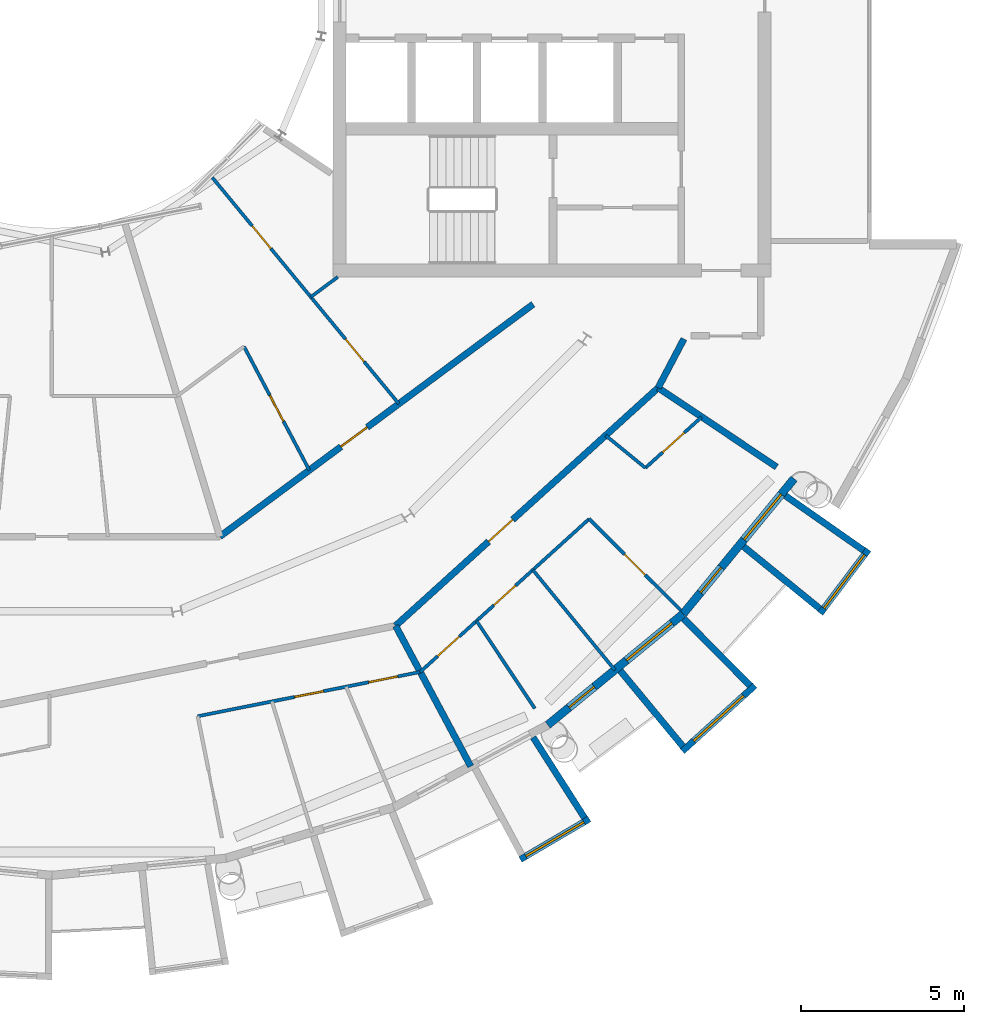
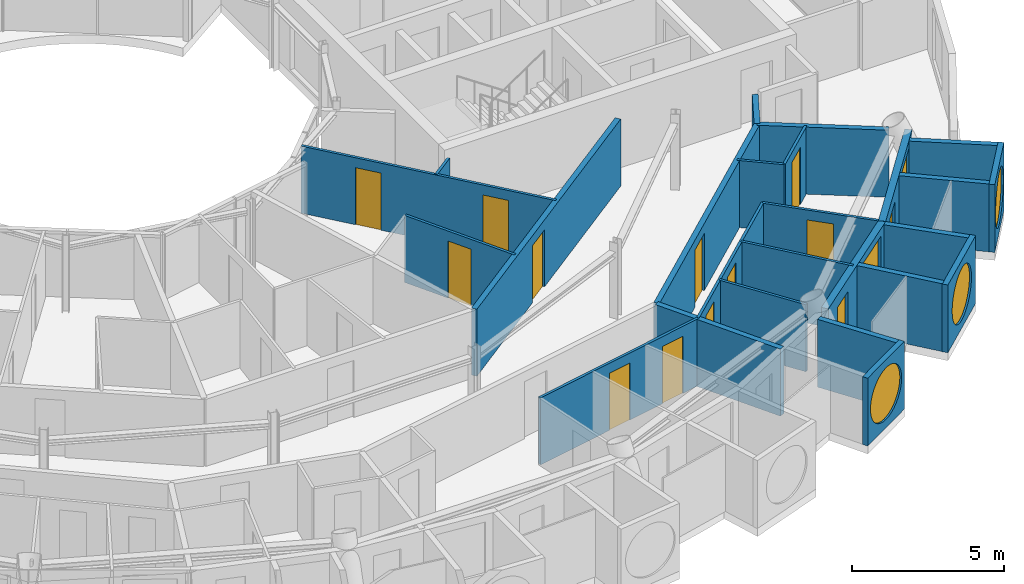
# One storey, part 18 of 28: 25 walls, 13 doors, 5 windows, 18 openings.
"""IFC4 building model written with IfcOpenShell, lengths in metres."""

from ifc_helpers import new_model, si_unit, direction, frame, frame_2d, origin, place, context, subcontext, project, spatial, rectangle, circle, extrude, material, layer, layer_set, type_object, element, fill, save


model = new_model("IFC4")

# Units and contexts
model_context = context("Model", 3, precision=1e-05, world=origin(), true_north=direction((0.0, 1.0)))
body_context = subcontext(model_context, "Body", "Model", "MODEL_VIEW")
ifc_project = project(units=[si_unit("LENGTHUNIT", "METRE"), si_unit("AREAUNIT", "SQUARE_METRE"), si_unit("VOLUMEUNIT", "CUBIC_METRE"), si_unit("PLANEANGLEUNIT", "RADIAN"), si_unit("MASSUNIT", "GRAM", prefix="KILO")], contexts=[model_context])

# Site, building, storey
site_placement = place(None, origin())
site = spatial("IfcSite", under=ifc_project, at=site_placement, CompositionType="ELEMENT")
building_placement = place(site_placement, origin())
building = spatial("IfcBuilding", under=site, at=building_placement, Name="Maasbend Ring Residences", CompositionType="ELEMENT")
storey_placement = place(building_placement, frame((0.0, 0.0, 231.0)))
storey = spatial("IfcBuildingStorey", under=building, at=storey_placement, Name="L66", CompositionType="ELEMENT", Elevation=231.0)

# Wall
ifc_material_1 = material(Name="Concrete C30/37", Category="concrete")
ifc_layer_1 = layer(ifc_material_1, 0.199951171875)
ifc_layer_set_1 = layer_set([ifc_layer_1], Name="Concrete C30/37")
wall_type_1 = type_object("IfcWallType", Name="CORRIDOR WALL 200 CONCRETE", PredefinedType="PARTITIONING", material=ifc_layer_set_1)
wall_1_placement = place(storey_placement, frame((18.5419921875, -12.388916015625, 0.0), z_axis=(0.0, 0.0, 1.0), x_axis=(0.465812036273, 0.88488369115, 0.0)))
element("IfcWall", 1, at=wall_1_placement, inside=storey, type_object=wall_type_1, Name="U-L66-w010", PredefinedType="PARTITIONING", context=body_context, shape_type="SweptSolid", body=[
    extrude(rectangle(XDim=1.687255859375, YDim=0.199951171875, at=frame_2d((0.84375, 0.0))), origin(), (0.0, 0.0, 1.0), 2.699951171875),
])

# Wall, opening, door
wall_2_placement = place(storey_placement, frame((10.511962890625, -19.6669921875, 0.0), z_axis=(0.0, 0.0, 1.0), x_axis=(0.740947367223, 0.671563101283, 0.0)))
wall_2 = element("IfcWall", 2, at=wall_2_placement, inside=storey, type_object=wall_type_1, Name="U-L66-w014", PredefinedType="PARTITIONING", context=body_context, shape_type="SweptSolid", body=[
    extrude(rectangle(XDim=10.83740234375, YDim=0.199951171875, at=frame_2d((5.418701171875, 0.0))), origin(), (0.0, 0.0, 1.0), 2.699951171875),
])
opening_1_placement = place(wall_2_placement, frame((3.8349609375, 0.0, 0.0)))
opening_1 = element("IfcOpeningElement", 3, at=opening_1_placement, cuts=wall_2, Name="Opening D-6640", PredefinedType="OPENING", context=body_context, shape_type="SweptSolid", body=[
    extrude(rectangle(XDim=1.0, YDim=2.300048828125, at=frame_2d((0.5, 1.14990234375))), frame((0.0, 0.10986328125, 0.0), z_axis=(0.0, -1.0, 0.0), x_axis=(1.0, 0.0, 0.0)), (0.0, 0.0, 1.0), 0.219970703125),
])
ifc_material_2 = material(Name="Timber, fire-rated, painted", Category="wood")
door_type_1 = type_object("IfcDoorType", Name="FLAT ENTRANCE DOOR 1000 X 2300 FIRE-RATED", OperationType="NOTDEFINED", PredefinedType="DOOR", material=ifc_material_2)
door_1_placement = place(opening_1_placement, origin())
door_1 = element("IfcDoor", 4, at=door_1_placement, inside=storey, type_object=door_type_1, Name="D-6640", OperationType="SINGLE_SWING_LEFT", OverallHeight=2.300048828125, OverallWidth=1.0, PredefinedType="DOOR", context=body_context, shape_type="SweptSolid", body=[
    extrude(rectangle(XDim=1.0, YDim=2.300048828125, at=frame_2d((0.5, 1.14990234375))), frame((0.0, 0.02490234375, 0.0), z_axis=(0.0, -1.0, 0.0), x_axis=(1.0, 0.0, 0.0)), (0.0, 0.0, 1.0), 0.050048828125),
])
fill(opening_1, door_1)

wall_3_placement = place(storey_placement, frame((5.136962890625, -16.93798828125, 0.0), z_axis=(0.0, 0.0, 1.0), x_axis=(0.803240181354, 0.595655278712, 0.0)))
wall_3 = element("IfcWall", 5, at=wall_3_placement, inside=storey, type_object=wall_type_1, Name="U-L66-w019", PredefinedType="PARTITIONING", context=body_context, shape_type="SweptSolid", body=[
    extrude(rectangle(XDim=11.927978515625, YDim=0.199951171875, at=frame_2d((5.9638671875, 0.0))), origin(), (0.0, 0.0, 1.0), 2.699951171875),
])
opening_2_placement = place(wall_3_placement, frame((4.612060546875, 0.0, 0.0)))
opening_2 = element("IfcOpeningElement", 6, at=opening_2_placement, cuts=wall_3, Name="Opening D-6653", PredefinedType="OPENING", context=body_context, shape_type="SweptSolid", body=[
    extrude(rectangle(XDim=1.0, YDim=2.300048828125, at=frame_2d((0.5, 1.14990234375))), frame((0.0, 0.10986328125, 0.0), z_axis=(0.0, -1.0, 0.0), x_axis=(1.0, 0.0, 0.0)), (0.0, 0.0, 1.0), 0.219970703125),
])
door_2_placement = place(opening_2_placement, origin())
door_2 = element("IfcDoor", 7, at=door_2_placement, inside=storey, type_object=door_type_1, Name="D-6653", OperationType="SINGLE_SWING_LEFT", OverallHeight=2.300048828125, OverallWidth=1.0, PredefinedType="DOOR", context=body_context, shape_type="SweptSolid", body=[
    extrude(rectangle(XDim=1.0, YDim=2.300048828125, at=frame_2d((0.5, 1.14990234375))), frame((0.0, 0.02490234375, 0.0), z_axis=(0.0, -1.0, 0.0), x_axis=(1.0, 0.0, 0.0)), (0.0, 0.0, 1.0), 0.050048828125),
])
fill(opening_2, door_2)

# Wall, opening, window
ifc_material_3 = material(Name="Pale anodised aluminium panel", Category="aluminium")
ifc_layer_2 = layer(ifc_material_3, 0.199951171875)
ifc_layer_set_2 = layer_set([ifc_layer_2], Name="EW-BOX")
wall_type_2 = type_object("IfcWallType", Name="EW-BOX", PredefinedType="SOLIDWALL", material=ifc_layer_set_2)
wall_4_placement = place(storey_placement, frame((14.326904296875, -26.81201171875, -0.030029296875), z_axis=(0.0, 0.0, 1.0), x_axis=(0.862403467503, 0.506221551535, 0.0)))
wall_4 = element("IfcWall", 8, at=wall_4_placement, inside=storey, type_object=wall_type_2, Name="Box front S16", PredefinedType="SOLIDWALL", context=body_context, shape_type="SweptSolid", body=[
    extrude(rectangle(XDim=2.445556640625, YDim=0.199951171875, at=frame_2d((1.22265625, 0.0))), origin(), (0.0, 0.0, 1.0), 2.72998046875),
])
opening_3_placement = place(wall_4_placement, frame((0.182861328125, 0.0, 0.330078125)))
opening_3 = element("IfcOpeningElement", 9, at=opening_3_placement, cuts=wall_4, Name="Opening W-RD", PredefinedType="OPENING", context=body_context, shape_type="SweptSolid", body=[
    extrude(circle(Radius=1.0400390625, at=frame_2d((1.0400390625, 1.0400390625))), frame((0.0, 0.10986328125, 0.0), z_axis=(0.0, -1.0, 0.0), x_axis=(1.0, 0.0, 0.0)), (0.0, 0.0, 1.0), 0.219970703125),
])
ifc_material_4 = material(Name="Aluminium and clear glass", Category="aluminium")
window_type_1 = type_object("IfcWindowType", Name="W-RD", PartitioningType="SINGLE_PANEL", PredefinedType="WINDOW", material=ifc_material_4)
window_1_placement = place(opening_3_placement, origin())
window_1 = element("IfcWindow", 10, at=window_1_placement, inside=storey, type_object=window_type_1, Name="Round window S16", OverallHeight=2.080078125, OverallWidth=2.080078125, PartitioningType="SINGLE_PANEL", PredefinedType="WINDOW", context=body_context, shape_type="SweptSolid", body=[
    extrude(circle(Radius=1.0400390625, at=frame_2d((1.0400390625, 1.0400390625))), frame((0.0, 0.030029296875, 0.0), z_axis=(0.0, -1.0, 0.0), x_axis=(1.0, 0.0, 0.0)), (0.0, 0.0, 1.0), 0.06005859375),
])
fill(opening_3, window_1)

# Wall
wall_5_placement = place(storey_placement, frame((14.721923828125, -23.0791015625, -0.030029296875), z_axis=(0.0, 0.0, 1.0), x_axis=(0.537572179146, -0.843217737129, 0.0)))
element("IfcWall", 11, at=wall_5_placement, inside=storey, type_object=wall_type_2, Name="Box side wall S16 right", PredefinedType="SOLIDWALL", context=body_context, shape_type="SweptSolid", body=[
    extrude(rectangle(XDim=2.92431640625, YDim=0.199951171875, at=frame_2d((1.462158203125, 0.0))), origin(), (0.0, 0.0, 1.0), 2.72998046875),
])

# Wall, opening, window
wall_6_placement = place(storey_placement, frame((19.281982421875, -23.5029296875, -0.030029296875), z_axis=(0.0, 0.0, 1.0), x_axis=(0.740998365753, 0.671506829416, 0.0)))
wall_6 = element("IfcWall", 12, at=wall_6_placement, inside=storey, type_object=wall_type_2, Name="Box front S18", PredefinedType="SOLIDWALL", context=body_context, shape_type="SweptSolid", body=[
    extrude(rectangle(XDim=2.9931640625, YDim=0.199951171875, at=frame_2d((1.49658203125, 0.0))), origin(), (0.0, 0.0, 1.0), 2.72998046875),
])
opening_4_placement = place(wall_6_placement, frame((0.45654296875, 0.0, 0.330078125)))
opening_4 = element("IfcOpeningElement", 13, at=opening_4_placement, cuts=wall_6, Name="Opening W-RD", PredefinedType="OPENING", context=body_context, shape_type="SweptSolid", body=[
    extrude(circle(Radius=1.0400390625, at=frame_2d((1.0400390625, 1.0400390625))), frame((0.0, 0.10986328125, 0.0), z_axis=(0.0, -1.0, 0.0), x_axis=(1.0, 0.0, 0.0)), (0.0, 0.0, 1.0), 0.219970703125),
])
window_2_placement = place(opening_4_placement, origin())
window_2 = element("IfcWindow", 14, at=window_2_placement, inside=storey, type_object=window_type_1, Name="Round window S18", OverallHeight=2.080078125, OverallWidth=2.080078125, PartitioningType="SINGLE_PANEL", PredefinedType="WINDOW", context=body_context, shape_type="SweptSolid", body=[
    extrude(circle(Radius=1.0400390625, at=frame_2d((1.0400390625, 1.0400390625))), frame((0.0, 0.030029296875, 0.0), z_axis=(0.0, -1.0, 0.0), x_axis=(1.0, 0.0, 0.0)), (0.0, 0.0, 1.0), 0.06005859375),
])
fill(opening_4, window_2)

# Walls
wall_7_placement = place(storey_placement, frame((17.384033203125, -21.041015625, -0.030029296875), z_axis=(0.0, 0.0, 1.0), x_axis=(0.63709551667, -0.770784861449, 0.0)))
element("IfcWall", 15, at=wall_7_placement, inside=storey, type_object=wall_type_2, Name="Box side wall S18 left", PredefinedType="SOLIDWALL", context=body_context, shape_type="SweptSolid", body=[
    extrude(rectangle(XDim=3.005859375, YDim=0.199951171875, at=frame_2d((1.5029296875, 0.0))), origin(), (0.0, 0.0, 1.0), 2.72998046875),
])
wall_8_placement = place(storey_placement, frame((19.322998046875, -19.449951171875, -0.030029296875), z_axis=(0.0, 0.0, 1.0), x_axis=(0.704476739375, -0.709727076896, 0.0)))
element("IfcWall", 16, at=wall_8_placement, inside=storey, type_object=wall_type_2, Name="Box side wall S18 right", PredefinedType="SOLIDWALL", context=body_context, shape_type="SweptSolid", body=[
    extrude(rectangle(XDim=2.883056640625, YDim=0.199951171875, at=frame_2d((1.44140625, 0.0))), origin(), (0.0, 0.0, 1.0), 2.72998046875),
])

# Wall, opening, window
wall_9_placement = place(storey_placement, frame((23.4970703125, -19.2890625, -0.030029296875), z_axis=(0.0, 0.0, 1.0), x_axis=(0.602806268067, 0.797887588059, 0.0)))
wall_9 = element("IfcWall", 17, at=wall_9_placement, inside=storey, type_object=wall_type_2, Name="Box front S20", PredefinedType="SOLIDWALL", context=body_context, shape_type="SweptSolid", body=[
    extrude(rectangle(XDim=2.446533203125, YDim=0.199951171875, at=frame_2d((1.22314453125, 0.0))), origin(), (0.0, 0.0, 1.0), 2.72998046875),
])
opening_5_placement = place(wall_9_placement, frame((0.182861328125, 0.0, 0.330078125)))
opening_5 = element("IfcOpeningElement", 18, at=opening_5_placement, cuts=wall_9, Name="Opening W-RD", PredefinedType="OPENING", context=body_context, shape_type="SweptSolid", body=[
    extrude(circle(Radius=1.0400390625, at=frame_2d((1.0400390625, 1.0400390625))), frame((0.0, 0.10986328125, 0.0), z_axis=(0.0, -1.0, 0.0), x_axis=(1.0, 0.0, 0.0)), (0.0, 0.0, 1.0), 0.219970703125),
])
window_3_placement = place(opening_5_placement, origin())
window_3 = element("IfcWindow", 19, at=window_3_placement, inside=storey, type_object=window_type_1, Name="Round window S20", OverallHeight=2.080078125, OverallWidth=2.080078125, PartitioningType="SINGLE_PANEL", PredefinedType="WINDOW", context=body_context, shape_type="SweptSolid", body=[
    extrude(circle(Radius=1.0400390625, at=frame_2d((1.0400390625, 1.0400390625))), frame((0.0, 0.030029296875, 0.0), z_axis=(0.0, -1.0, 0.0), x_axis=(1.0, 0.0, 0.0)), (0.0, 0.0, 1.0), 0.06005859375),
])
fill(opening_5, window_3)

# Walls
wall_10_placement = place(storey_placement, frame((21.155029296875, -17.24609375, -0.030029296875), z_axis=(0.0, 0.0, 1.0), x_axis=(0.775179004516, -0.631741648902, 0.0)))
element("IfcWall", 20, at=wall_10_placement, inside=storey, type_object=wall_type_2, Name="Box side wall S20 left", PredefinedType="SOLIDWALL", context=body_context, shape_type="SweptSolid", body=[
    extrude(rectangle(XDim=3.005859375, YDim=0.199951171875, at=frame_2d((1.5029296875, 0.0))), origin(), (0.0, 0.0, 1.0), 2.72998046875),
])
wall_11_placement = place(storey_placement, frame((22.43310546875, -15.68798828125, -0.030029296875), z_axis=(0.0, 0.0, 1.0), x_axis=(0.819373043115, -0.573260687834, 0.0)))
element("IfcWall", 21, at=wall_11_placement, inside=storey, type_object=wall_type_2, Name="Box side wall S20 right", PredefinedType="SOLIDWALL", context=body_context, shape_type="SweptSolid", body=[
    extrude(rectangle(XDim=2.92529296875, YDim=0.199951171875, at=frame_2d((1.462646484375, 0.0))), origin(), (0.0, 0.0, 1.0), 2.72998046875),
])

# Wall, openings, door, window
ifc_material_5 = material(Name="Aluminium clad insulated panel", Category="aluminium")
ifc_layer_3 = layer(ifc_material_5, 0.25)
ifc_layer_set_3 = layer_set([ifc_layer_3], Name="EW-GL")
wall_type_3 = type_object("IfcWallType", Name="EW-GL", PredefinedType="SOLIDWALL", material=ifc_layer_set_3)
wall_12_placement = place(storey_placement, frame((15.1669921875, -22.698974609375, 0.0), z_axis=(0.0, 0.0, 1.0), x_axis=(0.773019449054, 0.634382322723, 0.0)))
wall_12 = element("IfcWall", 22, at=wall_12_placement, inside=storey, type_object=wall_type_3, Name="External wall S09", PredefinedType="SOLIDWALL", context=body_context, shape_type="SweptSolid", body=[
    extrude(rectangle(XDim=5.351806640625, YDim=0.25, at=frame_2d((2.67578125, 0.0))), origin(), (0.0, 0.0, 1.0), 2.699951171875),
])
opening_6_placement = place(wall_12_placement, frame((0.841064453125, 0.0, 0.0)))
opening_6 = element("IfcOpeningElement", 23, at=opening_6_placement, cuts=wall_12, Name="Opening D-LG", PredefinedType="OPENING", context=body_context, shape_type="SweptSolid", body=[
    extrude(rectangle(XDim=1.0, YDim=2.199951171875, at=frame_2d((0.5, 1.10009765625))), frame((0.0, 0.135009765625, 0.0), z_axis=(0.0, -1.0, 0.0), x_axis=(1.0, 0.0, 0.0)), (0.0, 0.0, 1.0), 0.27001953125),
])
opening_7_placement = place(wall_12_placement, frame((3.110595703125, 0.0, 0.300048828125)))
opening_7 = element("IfcOpeningElement", 24, at=opening_7_placement, cuts=wall_12, Name="Opening W-BX", PredefinedType="OPENING", context=body_context, shape_type="SweptSolid", body=[
    extrude(rectangle(XDim=1.800048828125, YDim=2.10009765625, at=frame_2d((0.89990234375, 1.050048828125))), frame((0.0, 0.135009765625, 0.0), z_axis=(0.0, -1.0, 0.0), x_axis=(1.0, 0.0, 0.0)), (0.0, 0.0, 1.0), 0.27001953125),
])
ifc_material_6 = material(Name="Aluminium and clear glass", Category="aluminium")
door_type_2 = type_object("IfcDoorType", Name="D-LG", OperationType="SINGLE_SWING_LEFT", PredefinedType="DOOR", material=ifc_material_6)
door_3_placement = place(opening_6_placement, origin())
door_3 = element("IfcDoor", 25, at=door_3_placement, inside=storey, type_object=door_type_2, Name="Loggia door S17", OperationType="SINGLE_SWING_LEFT", OverallHeight=2.199951171875, OverallWidth=1.0, PredefinedType="DOOR", context=body_context, shape_type="SweptSolid", body=[
    extrude(rectangle(XDim=1.0, YDim=2.199951171875, at=frame_2d((0.5, 1.10009765625))), frame((0.0, 0.02490234375, 0.0), z_axis=(0.0, -1.0, 0.0), x_axis=(1.0, 0.0, 0.0)), (0.0, 0.0, 1.0), 0.050048828125),
])
fill(opening_6, door_3)
ifc_material_7 = material(Name="Aluminium and clear glass", Category="aluminium")
window_type_2 = type_object("IfcWindowType", Name="W-BX", PartitioningType="DOUBLE_PANEL_VERTICAL", PredefinedType="WINDOW", material=ifc_material_7)
window_4_placement = place(opening_7_placement, origin())
window_4 = element("IfcWindow", 26, at=window_4_placement, inside=storey, type_object=window_type_2, Name="Window S18 room to box", OverallHeight=2.10009765625, OverallWidth=1.800048828125, PartitioningType="SINGLE_PANEL", PredefinedType="WINDOW", context=body_context, shape_type="SweptSolid", body=[
    extrude(rectangle(XDim=1.800048828125, YDim=2.10009765625, at=frame_2d((0.89990234375, 1.050048828125))), frame((0.0, 0.030029296875, 0.0), z_axis=(0.0, -1.0, 0.0), x_axis=(1.0, 0.0, 0.0)), (0.0, 0.0, 1.0), 0.06005859375),
])
fill(opening_7, window_4)

wall_13_placement = place(storey_placement, frame((19.303955078125, -19.303955078125, 0.0), z_axis=(0.0, 0.0, 1.0), x_axis=(0.634382322723, 0.773019449054, 0.0)))
wall_13 = element("IfcWall", 27, at=wall_13_placement, inside=storey, type_object=wall_type_3, Name="External wall S10", PredefinedType="SOLIDWALL", context=body_context, shape_type="SweptSolid", body=[
    extrude(rectangle(XDim=5.351806640625, YDim=0.25, at=frame_2d((2.67578125, 0.0))), origin(), (0.0, 0.0, 1.0), 2.699951171875),
])
opening_8_placement = place(wall_13_placement, frame((0.841064453125, 0.0, 0.0)))
opening_8 = element("IfcOpeningElement", 28, at=opening_8_placement, cuts=wall_13, Name="Opening D-LG", PredefinedType="OPENING", context=body_context, shape_type="SweptSolid", body=[
    extrude(rectangle(XDim=1.0, YDim=2.199951171875, at=frame_2d((0.5, 1.10009765625))), frame((0.0, 0.135009765625, 0.0), z_axis=(0.0, -1.0, 0.0), x_axis=(1.0, 0.0, 0.0)), (0.0, 0.0, 1.0), 0.27001953125),
])
opening_9_placement = place(wall_13_placement, frame((2.935791015625, 0.0, 0.300048828125)))
opening_9 = element("IfcOpeningElement", 29, at=opening_9_placement, cuts=wall_13, Name="Opening W-BX", PredefinedType="OPENING", context=body_context, shape_type="SweptSolid", body=[
    extrude(rectangle(XDim=1.800048828125, YDim=2.10009765625, at=frame_2d((0.89990234375, 1.050048828125))), frame((0.0, 0.135009765625, 0.0), z_axis=(0.0, -1.0, 0.0), x_axis=(1.0, 0.0, 0.0)), (0.0, 0.0, 1.0), 0.27001953125),
])
door_4_placement = place(opening_8_placement, origin())
door_4 = element("IfcDoor", 30, at=door_4_placement, inside=storey, type_object=door_type_2, Name="Loggia door S19", OperationType="SINGLE_SWING_LEFT", OverallHeight=2.199951171875, OverallWidth=1.0, PredefinedType="DOOR", context=body_context, shape_type="SweptSolid", body=[
    extrude(rectangle(XDim=1.0, YDim=2.199951171875, at=frame_2d((0.5, 1.10009765625))), frame((0.0, 0.02490234375, 0.0), z_axis=(0.0, -1.0, 0.0), x_axis=(1.0, 0.0, 0.0)), (0.0, 0.0, 1.0), 0.050048828125),
])
fill(opening_8, door_4)
window_5_placement = place(opening_9_placement, origin())
window_5 = element("IfcWindow", 31, at=window_5_placement, inside=storey, type_object=window_type_2, Name="Window S20 room to box", OverallHeight=2.10009765625, OverallWidth=1.800048828125, PartitioningType="SINGLE_PANEL", PredefinedType="WINDOW", context=body_context, shape_type="SweptSolid", body=[
    extrude(rectangle(XDim=1.800048828125, YDim=2.10009765625, at=frame_2d((0.89990234375, 1.050048828125))), frame((0.0, 0.030029296875, 0.0), z_axis=(0.0, -1.0, 0.0), x_axis=(1.0, 0.0, 0.0)), (0.0, 0.0, 1.0), 0.06005859375),
])
fill(opening_9, window_5)

# Wall, openings, doors
ifc_material_8 = material(Name="Gypsum board on steel studs", Category="steel")
ifc_layer_4 = layer(ifc_material_8, 0.10009765625)
ifc_layer_set_4 = layer_set([ifc_layer_4], Name="PARTITION 100 GYPSUM")
wall_type_4 = type_object("IfcWallType", Name="PARTITION 100 GYPSUM", PredefinedType="PARTITIONING", material=ifc_layer_set_4)
wall_14_placement = place(storey_placement, frame((11.26611328125, -21.077880859375, 0.0), z_axis=(0.0, 0.0, 1.0), x_axis=(0.74114118713, 0.671349194339, 0.0)))
wall_14 = element("IfcWall", 32, at=wall_14_placement, inside=storey, type_object=wall_type_4, Name="U-L66-w003", PredefinedType="PARTITIONING", context=body_context, shape_type="SweptSolid", body=[
    extrude(rectangle(XDim=6.96484375, YDim=0.10009765625, at=frame_2d((3.482421875, 0.0))), origin(), (0.0, 0.0, 1.0), 2.699951171875),
])
opening_10_placement = place(wall_14_placement, frame((3.033935546875, 0.0, 0.0)))
opening_10 = element("IfcOpeningElement", 33, at=opening_10_placement, cuts=wall_14, Name="Opening D-6643", PredefinedType="OPENING", context=body_context, shape_type="SweptSolid", body=[
    extrude(rectangle(XDim=0.89990234375, YDim=2.300048828125, at=frame_2d((0.449951171875, 1.14990234375))), frame((0.0, 0.06005859375, 0.0), z_axis=(0.0, -1.0, 0.0), x_axis=(1.0, 0.0, 0.0)), (0.0, 0.0, 1.0), 0.1201171875),
])
opening_11_placement = place(wall_14_placement, frame((0.7119140625, 0.0, 0.0)))
opening_11 = element("IfcOpeningElement", 34, at=opening_11_placement, cuts=wall_14, Name="Opening D-6644", PredefinedType="OPENING", context=body_context, shape_type="SweptSolid", body=[
    extrude(rectangle(XDim=0.89990234375, YDim=2.300048828125, at=frame_2d((0.449951171875, 1.14990234375))), frame((0.0, 0.06005859375, 0.0), z_axis=(0.0, -1.0, 0.0), x_axis=(1.0, 0.0, 0.0)), (0.0, 0.0, 1.0), 0.1201171875),
])
ifc_material_9 = material(Name="Timber, painted", Category="wood")
door_type_3 = type_object("IfcDoorType", Name="INTERNAL DOOR 900 X 2300", OperationType="NOTDEFINED", PredefinedType="DOOR", material=ifc_material_9)
door_5_placement = place(opening_10_placement, origin())
door_5 = element("IfcDoor", 35, at=door_5_placement, inside=storey, type_object=door_type_3, Name="D-6643", OperationType="SINGLE_SWING_RIGHT", OverallHeight=2.300048828125, OverallWidth=0.89990234375, PredefinedType="DOOR", context=body_context, shape_type="SweptSolid", body=[
    extrude(rectangle(XDim=0.89990234375, YDim=2.300048828125, at=frame_2d((0.449951171875, 1.14990234375))), frame((0.0, 0.02490234375, 0.0), z_axis=(0.0, -1.0, 0.0), x_axis=(1.0, 0.0, 0.0)), (0.0, 0.0, 1.0), 0.050048828125),
])
fill(opening_10, door_5)
door_6_placement = place(opening_11_placement, origin())
door_6 = element("IfcDoor", 36, at=door_6_placement, inside=storey, type_object=door_type_3, Name="D-6644", OperationType="SINGLE_SWING_LEFT", OverallHeight=2.300048828125, OverallWidth=0.89990234375, PredefinedType="DOOR", context=body_context, shape_type="SweptSolid", body=[
    extrude(rectangle(XDim=0.89990234375, YDim=2.300048828125, at=frame_2d((0.449951171875, 1.14990234375))), frame((0.0, 0.02490234375, 0.0), z_axis=(0.0, -1.0, 0.0), x_axis=(1.0, 0.0, 0.0)), (0.0, 0.0, 1.0), 0.050048828125),
])
fill(opening_11, door_6)

# Wall, opening, door
wall_15_placement = place(storey_placement, frame((18.14697265625, -14.843994140625, 0.0), z_axis=(0.0, 0.0, 1.0), x_axis=(0.741080073381, 0.671416655169, 0.0)))
wall_15 = element("IfcWall", 37, at=wall_15_placement, inside=storey, type_object=wall_type_4, Name="U-L66-w004", PredefinedType="PARTITIONING", context=body_context, shape_type="SweptSolid", body=[
    extrude(rectangle(XDim=2.323486328125, YDim=0.10009765625, at=frame_2d((1.16162109375, 0.0))), origin(), (0.0, 0.0, 1.0), 2.699951171875),
])
opening_12_placement = place(wall_15_placement, frame((0.718017578125, 0.0, 0.0)))
opening_12 = element("IfcOpeningElement", 38, at=opening_12_placement, cuts=wall_15, Name="Opening D-6641", PredefinedType="OPENING", context=body_context, shape_type="SweptSolid", body=[
    extrude(rectangle(XDim=0.89990234375, YDim=2.300048828125, at=frame_2d((0.449951171875, 1.14990234375))), frame((0.0, 0.06005859375, 0.0), z_axis=(0.0, -1.0, 0.0), x_axis=(1.0, 0.0, 0.0)), (0.0, 0.0, 1.0), 0.1201171875),
])
door_7_placement = place(opening_12_placement, origin())
door_7 = element("IfcDoor", 39, at=door_7_placement, inside=storey, type_object=door_type_3, Name="D-6641", OperationType="SINGLE_SWING_RIGHT", OverallHeight=2.300048828125, OverallWidth=0.89990234375, PredefinedType="DOOR", context=body_context, shape_type="SweptSolid", body=[
    extrude(rectangle(XDim=0.89990234375, YDim=2.300048828125, at=frame_2d((0.449951171875, 1.14990234375))), frame((0.0, 0.02490234375, 0.0), z_axis=(0.0, -1.0, 0.0), x_axis=(1.0, 0.0, 0.0)), (0.0, 0.0, 1.0), 0.050048828125),
])
fill(opening_12, door_7)

# Wall, openings, doors
wall_16_placement = place(storey_placement, frame((4.4599609375, -22.43310546875, 0.0), z_axis=(0.0, 0.0, 1.0), x_axis=(0.980795304313, 0.195039921651, 0.0)))
wall_16 = element("IfcWall", 40, at=wall_16_placement, inside=storey, type_object=wall_type_4, Name="U-L66-w008", PredefinedType="PARTITIONING", context=body_context, shape_type="SweptSolid", body=[
    extrude(rectangle(XDim=6.937255859375, YDim=0.10009765625, at=frame_2d((3.46875, 0.0))), origin(), (0.0, 0.0, 1.0), 2.699951171875),
])
opening_13_placement = place(wall_16_placement, frame((3.02099609375, 0.0, 0.0)))
opening_13 = element("IfcOpeningElement", 41, at=opening_13_placement, cuts=wall_16, Name="Opening D-6638", PredefinedType="OPENING", context=body_context, shape_type="SweptSolid", body=[
    extrude(rectangle(XDim=0.89990234375, YDim=2.300048828125, at=frame_2d((0.449951171875, 1.14990234375))), frame((0.0, 0.06005859375, 0.0), z_axis=(0.0, -1.0, 0.0), x_axis=(1.0, 0.0, 0.0)), (0.0, 0.0, 1.0), 0.1201171875),
])
opening_14_placement = place(wall_16_placement, frame((5.333984375, 0.0, 0.0)))
opening_14 = element("IfcOpeningElement", 42, at=opening_14_placement, cuts=wall_16, Name="Opening D-6639", PredefinedType="OPENING", context=body_context, shape_type="SweptSolid", body=[
    extrude(rectangle(XDim=0.89990234375, YDim=2.300048828125, at=frame_2d((0.449951171875, 1.14990234375))), frame((0.0, 0.06005859375, 0.0), z_axis=(0.0, -1.0, 0.0), x_axis=(1.0, 0.0, 0.0)), (0.0, 0.0, 1.0), 0.1201171875),
])
door_8_placement = place(opening_13_placement, origin())
door_8 = element("IfcDoor", 43, at=door_8_placement, inside=storey, type_object=door_type_3, Name="D-6638", OperationType="SINGLE_SWING_RIGHT", OverallHeight=2.300048828125, OverallWidth=0.89990234375, PredefinedType="DOOR", context=body_context, shape_type="SweptSolid", body=[
    extrude(rectangle(XDim=0.89990234375, YDim=2.300048828125, at=frame_2d((0.449951171875, 1.14990234375))), frame((0.0, 0.02490234375, 0.0), z_axis=(0.0, -1.0, 0.0), x_axis=(1.0, 0.0, 0.0)), (0.0, 0.0, 1.0), 0.050048828125),
])
fill(opening_13, door_8)
door_9_placement = place(opening_14_placement, origin())
door_9 = element("IfcDoor", 44, at=door_9_placement, inside=storey, type_object=door_type_3, Name="D-6639", OperationType="SINGLE_SWING_RIGHT", OverallHeight=2.300048828125, OverallWidth=0.89990234375, PredefinedType="DOOR", context=body_context, shape_type="SweptSolid", body=[
    extrude(rectangle(XDim=0.89990234375, YDim=2.300048828125, at=frame_2d((0.449951171875, 1.14990234375))), frame((0.0, 0.02490234375, 0.0), z_axis=(0.0, -1.0, 0.0), x_axis=(1.0, 0.0, 0.0)), (0.0, 0.0, 1.0), 0.050048828125),
])
fill(opening_14, door_9)

# Wall
wall_17_placement = place(storey_placement, frame((7.9189453125, -9.611083984375, 0.0), z_axis=(0.0, 0.0, 1.0), x_axis=(0.80321556998, 0.595688465677, 0.0)))
element("IfcWall", 45, at=wall_17_placement, inside=storey, type_object=wall_type_4, Name="U-L66-w025", PredefinedType="PARTITIONING", context=body_context, shape_type="SweptSolid", body=[
    extrude(rectangle(XDim=1.02587890625, YDim=0.10009765625, at=frame_2d((0.512939453125, 0.0))), origin(), (0.0, 0.0, 1.0), 2.699951171875),
])

# Wall, openings, doors
wall_18_placement = place(storey_placement, frame((4.907958984375, -5.958984375, 0.0), z_axis=(0.0, 0.0, 1.0), x_axis=(0.636115614725, -0.771593756262, 0.0)))
wall_18 = element("IfcWall", 46, at=wall_18_placement, inside=storey, type_object=wall_type_4, Name="U-L66-w063", PredefinedType="PARTITIONING", context=body_context, shape_type="SweptSolid", body=[
    extrude(rectangle(XDim=8.967041015625, YDim=0.10009765625, at=frame_2d((4.4833984375, 0.0))), origin(), (0.0, 0.0, 1.0), 2.699951171875),
])
opening_15_placement = place(wall_18_placement, frame((6.39990234375, 0.0, 0.0)))
opening_15 = element("IfcOpeningElement", 47, at=opening_15_placement, cuts=wall_18, Name="Opening D-6655", PredefinedType="OPENING", context=body_context, shape_type="SweptSolid", body=[
    extrude(rectangle(XDim=0.89990234375, YDim=2.300048828125, at=frame_2d((0.449951171875, 1.14990234375))), frame((0.0, 0.06005859375, 0.0), z_axis=(0.0, -1.0, 0.0), x_axis=(1.0, 0.0, 0.0)), (0.0, 0.0, 1.0), 0.1201171875),
])
opening_16_placement = place(wall_18_placement, frame((1.9169921875, 0.0, 0.0)))
opening_16 = element("IfcOpeningElement", 48, at=opening_16_placement, cuts=wall_18, Name="Opening D-6656", PredefinedType="OPENING", context=body_context, shape_type="SweptSolid", body=[
    extrude(rectangle(XDim=0.89990234375, YDim=2.300048828125, at=frame_2d((0.449951171875, 1.14990234375))), frame((0.0, 0.06005859375, 0.0), z_axis=(0.0, -1.0, 0.0), x_axis=(1.0, 0.0, 0.0)), (0.0, 0.0, 1.0), 0.1201171875),
])
door_10_placement = place(opening_15_placement, origin())
door_10 = element("IfcDoor", 49, at=door_10_placement, inside=storey, type_object=door_type_3, Name="D-6655", OperationType="SINGLE_SWING_RIGHT", OverallHeight=2.300048828125, OverallWidth=0.89990234375, PredefinedType="DOOR", context=body_context, shape_type="SweptSolid", body=[
    extrude(rectangle(XDim=0.89990234375, YDim=2.300048828125, at=frame_2d((0.449951171875, 1.14990234375))), frame((0.0, 0.02490234375, 0.0), z_axis=(0.0, -1.0, 0.0), x_axis=(1.0, 0.0, 0.0)), (0.0, 0.0, 1.0), 0.050048828125),
])
fill(opening_15, door_10)
door_11_placement = place(opening_16_placement, origin())
door_11 = element("IfcDoor", 50, at=door_11_placement, inside=storey, type_object=door_type_3, Name="D-6656", OperationType="SINGLE_SWING_LEFT", OverallHeight=2.300048828125, OverallWidth=0.89990234375, PredefinedType="DOOR", context=body_context, shape_type="SweptSolid", body=[
    extrude(rectangle(XDim=0.89990234375, YDim=2.300048828125, at=frame_2d((0.449951171875, 1.14990234375))), frame((0.0, 0.02490234375, 0.0), z_axis=(0.0, -1.0, 0.0), x_axis=(1.0, 0.0, 0.0)), (0.0, 0.0, 1.0), 0.050048828125),
])
fill(opening_16, door_11)

# Wall, opening, door
wall_19_placement = place(storey_placement, frame((5.8759765625, -11.1259765625, 0.0), z_axis=(0.0, 0.0, 1.0), x_axis=(0.467030118529, -0.884241408432, 0.0)))
wall_19 = element("IfcWall", 51, at=wall_19_placement, inside=storey, type_object=wall_type_4, Name="U-L66-w064", PredefinedType="PARTITIONING", context=body_context, shape_type="SweptSolid", body=[
    extrude(rectangle(XDim=4.278076171875, YDim=0.10009765625, at=frame_2d((2.13916015625, 0.0))), origin(), (0.0, 0.0, 1.0), 2.699951171875),
])
opening_17_placement = place(wall_19_placement, frame((1.68896484375, 0.0, 0.0)))
opening_17 = element("IfcOpeningElement", 52, at=opening_17_placement, cuts=wall_19, Name="Opening D-6654", PredefinedType="OPENING", context=body_context, shape_type="SweptSolid", body=[
    extrude(rectangle(XDim=0.89990234375, YDim=2.300048828125, at=frame_2d((0.449951171875, 1.14990234375))), frame((0.0, 0.06005859375, 0.0), z_axis=(0.0, -1.0, 0.0), x_axis=(1.0, 0.0, 0.0)), (0.0, 0.0, 1.0), 0.1201171875),
])
door_12_placement = place(opening_17_placement, origin())
door_12 = element("IfcDoor", 53, at=door_12_placement, inside=storey, type_object=door_type_3, Name="D-6654", OperationType="SINGLE_SWING_LEFT", OverallHeight=2.300048828125, OverallWidth=0.89990234375, PredefinedType="DOOR", context=body_context, shape_type="SweptSolid", body=[
    extrude(rectangle(XDim=0.89990234375, YDim=2.300048828125, at=frame_2d((0.449951171875, 1.14990234375))), frame((0.0, 0.02490234375, 0.0), z_axis=(0.0, -1.0, 0.0), x_axis=(1.0, 0.0, 0.0)), (0.0, 0.0, 1.0), 0.050048828125),
])
fill(opening_17, door_12)

# Walls
wall_20_placement = place(storey_placement, frame((12.988037109375, -19.51806640625, 0.0), z_axis=(0.0, 0.0, 1.0), x_axis=(0.553700853122, -0.832715656903, 0.0)))
element("IfcWall", 54, at=wall_20_placement, inside=storey, type_object=wall_type_4, Name="U-L66-w071", PredefinedType="PARTITIONING", context=body_context, shape_type="SweptSolid", body=[
    extrude(rectangle(XDim=3.21484375, YDim=0.10009765625, at=frame_2d((1.607421875, 0.0))), origin(), (0.0, 0.0, 1.0), 2.699951171875),
])
wall_21_placement = place(storey_placement, frame((14.708984375, -17.9580078125, 0.0), z_axis=(0.0, 0.0, 1.0), x_axis=(0.633590098448, -0.773668913133, 0.0)))
element("IfcWall", 55, at=wall_21_placement, inside=storey, type_object=wall_type_4, Name="U-L66-w073", PredefinedType="PARTITIONING", context=body_context, shape_type="SweptSolid", body=[
    extrude(rectangle(XDim=3.961669921875, YDim=0.10009765625, at=frame_2d((1.98095703125, 0.0))), origin(), (0.0, 0.0, 1.0), 2.699951171875),
])

# Wall, opening, door
wall_22_placement = place(storey_placement, frame((16.429931640625, -16.39794921875, 0.0), z_axis=(0.0, 0.0, 1.0), x_axis=(0.707722727509, -0.706490297858, 0.0)))
wall_22 = element("IfcWall", 56, at=wall_22_placement, inside=storey, type_object=wall_type_4, Name="U-L66-w075", PredefinedType="PARTITIONING", context=body_context, shape_type="SweptSolid", body=[
    extrude(rectangle(XDim=3.9619140625, YDim=0.10009765625, at=frame_2d((1.98095703125, 0.0))), origin(), (0.0, 0.0, 1.0), 2.699951171875),
])
opening_18_placement = place(wall_22_placement, frame((1.531005859375, 0.0, 0.0)))
opening_18 = element("IfcOpeningElement", 57, at=opening_18_placement, cuts=wall_22, Name="Opening D-6642", PredefinedType="OPENING", context=body_context, shape_type="SweptSolid", body=[
    extrude(rectangle(XDim=0.89990234375, YDim=2.300048828125, at=frame_2d((0.449951171875, 1.14990234375))), frame((0.0, 0.06005859375, 0.0), z_axis=(0.0, -1.0, 0.0), x_axis=(1.0, 0.0, 0.0)), (0.0, 0.0, 1.0), 0.1201171875),
])
door_13_placement = place(opening_18_placement, origin())
door_13 = element("IfcDoor", 58, at=door_13_placement, inside=storey, type_object=door_type_3, Name="D-6642", OperationType="SINGLE_SWING_RIGHT", OverallHeight=2.300048828125, OverallWidth=0.89990234375, PredefinedType="DOOR", context=body_context, shape_type="SweptSolid", body=[
    extrude(rectangle(XDim=0.89990234375, YDim=2.300048828125, at=frame_2d((0.449951171875, 1.14990234375))), frame((0.0, 0.02490234375, 0.0), z_axis=(0.0, -1.0, 0.0), x_axis=(1.0, 0.0, 0.0)), (0.0, 0.0, 1.0), 0.050048828125),
])
fill(opening_18, door_13)

# Walls
wall_23_placement = place(storey_placement, frame((16.93603515625, -13.844970703125, 0.0), z_axis=(0.0, 0.0, 1.0), x_axis=(0.774283039722, -0.632839453889, 0.0)))
element("IfcWall", 59, at=wall_23_placement, inside=storey, type_object=wall_type_4, Name="U-L66-w077", PredefinedType="PARTITIONING", context=body_context, shape_type="SweptSolid", body=[
    extrude(rectangle(XDim=1.569091796875, YDim=0.10009765625, at=frame_2d((0.78466796875, 0.0))), origin(), (0.0, 0.0, 1.0), 2.699951171875),
])
ifc_material_10 = material(Name="Concrete C30/37", Category="concrete")
ifc_layer_5 = layer(ifc_material_10, 0.199951171875)
ifc_layer_set_5 = layer_set([ifc_layer_5], Name="Concrete C30/37")
wall_type_5 = type_object("IfcWallType", Name="PARTY WALL 200 CONCRETE", PredefinedType="PARTITIONING", material=ifc_layer_set_5)
wall_24_placement = place(storey_placement, frame((10.511962890625, -19.6669921875, 0.0), z_axis=(0.0, 0.0, 1.0), x_axis=(0.471427642527, -0.881904744211, 0.0)))
element("IfcWall", 60, at=wall_24_placement, inside=storey, type_object=wall_type_5, Name="U-L66-w069", PredefinedType="PARTITIONING", context=body_context, shape_type="SweptSolid", body=[
    extrude(rectangle(XDim=4.874755859375, YDim=0.199951171875, at=frame_2d((2.4375, 0.0))), origin(), (0.0, 0.0, 1.0), 2.699951171875),
])
wall_25_placement = place(storey_placement, frame((18.5419921875, -12.388916015625, 0.0), z_axis=(0.0, 0.0, 1.0), x_axis=(0.831403467378, -0.55566921314, 0.0)))
element("IfcWall", 61, at=wall_25_placement, inside=storey, type_object=wall_type_5, Name="U-L66-w079", PredefinedType="PARTITIONING", context=body_context, shape_type="SweptSolid", body=[
    extrude(rectangle(XDim=4.35888671875, YDim=0.199951171875, at=frame_2d((2.179443359375, 0.0))), origin(), (0.0, 0.0, 1.0), 2.699951171875),
])

save(model, "model.ifc")
